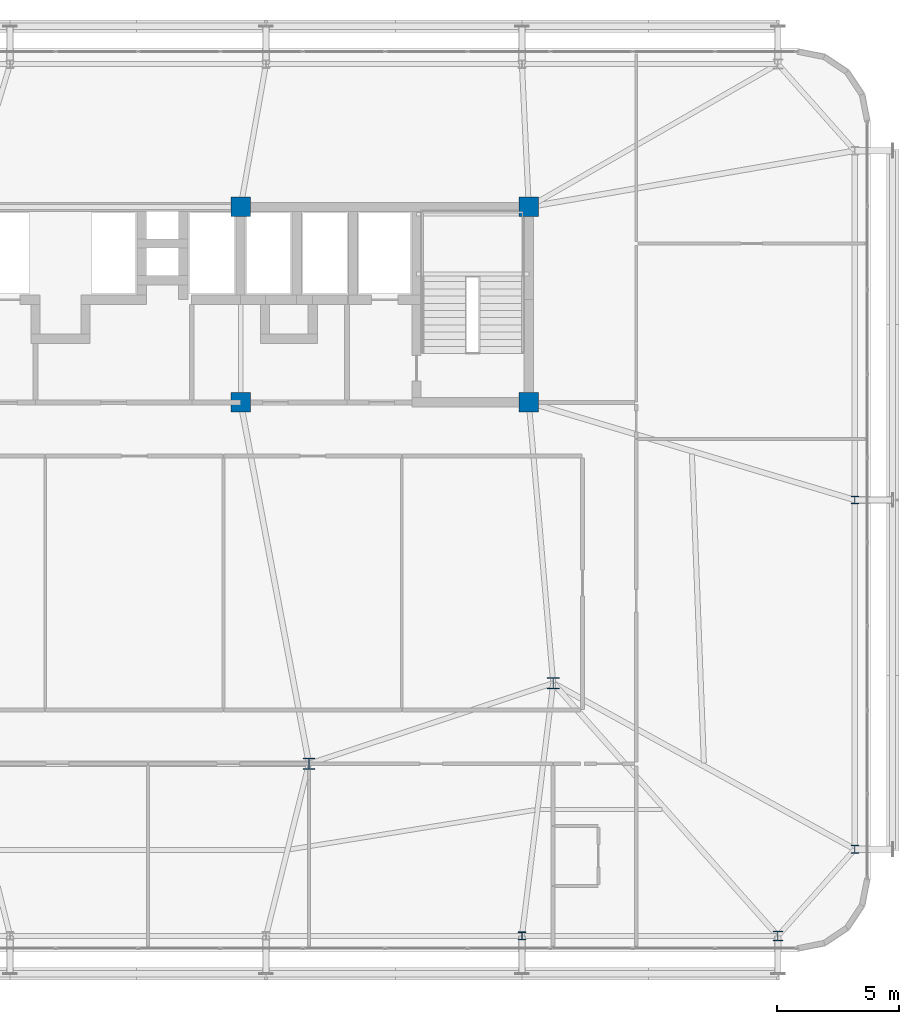
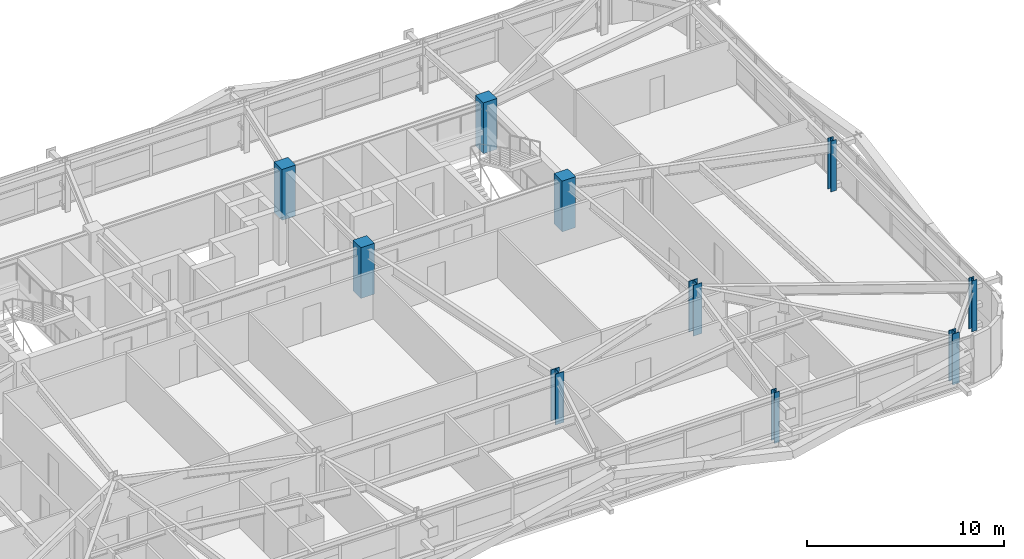
# One storey, part 2 of 58: 10 columns.
"""IFC4 building model written with IfcOpenShell, lengths in metres."""

from ifc_helpers import new_model, si_unit, direction, frame, origin, origin_2d, place, context, subcontext, project, spatial, rectangle, i_section, extrude, source, transform, mapped, material, material_profile, profile_set, type_object, element, save


model = new_model("IFC4")

# Units and contexts
model_context = context("Model", 3, precision=1e-05, world=origin(), true_north=direction((0.0, 1.0)))
body_context = subcontext(model_context, "Body", "Model", "MODEL_VIEW")
ifc_project = project(units=[si_unit("LENGTHUNIT", "METRE"), si_unit("AREAUNIT", "SQUARE_METRE"), si_unit("VOLUMEUNIT", "CUBIC_METRE"), si_unit("PLANEANGLEUNIT", "RADIAN"), si_unit("MASSUNIT", "GRAM", prefix="KILO")], contexts=[model_context])

# Site, building, storey
site_placement = place(None, origin())
site = spatial("IfcSite", under=ifc_project, at=site_placement, CompositionType="ELEMENT")
building_placement = place(site_placement, origin())
building = spatial("IfcBuilding", under=site, at=building_placement, Name="Taldren Reach Tower", CompositionType="ELEMENT")
storey_placement = place(building_placement, frame((0.0, 0.0, 35.699951171875)))
storey = spatial("IfcBuildingStorey", under=building, at=storey_placement, Name="L10", CompositionType="ELEMENT", Elevation=35.699951171875)

# Columns
ifc_material_1 = material(Name="Concrete S65 (65 MPa)", Category="concrete")
ifc_material_profile_1 = material_profile(ifc_material_1, rectangle(XDim=0.800048828125, YDim=0.800048828125, at=origin_2d()), Name="RC-800x800")
ifc_profile_set_1 = profile_set([ifc_material_profile_1], Name="Concrete S65 (65 MPa)")
column_type_1 = type_object("IfcColumnType", Name="COL-RC800", PredefinedType="COLUMN", material=ifc_profile_set_1)
shared_shape_1 = source(origin(), body_context, "Body", "SweptSolid", [
    extrude(rectangle(XDim=0.800048828125, YDim=0.800048828125, at=origin_2d()), origin(), (0.0, 0.0, 1.0), 3.150146484375),
])
for number, where, z_axis, x_axis, name in (
    (1, (39.199951171875, 24.0, 0.0), (0.0, 0.0, 1.0), (1.0, 0.0, 0.0), "Mega column MC-C3 L10"),
    (2, (51.0, 24.0, 0.0), (0.0, 0.0, 1.0), (1.0, 0.0, 0.0), "Mega column MC-C4 L10"),
    (3, (39.199951171875, 32.0, 0.0), (0.0, 0.0, 1.0), (1.0, 0.0, 0.0), "Mega column MC-C7 L10"),
    (4, (51.0, 32.0, 0.0), (0.0, 0.0, 1.0), (1.0, 0.0, 0.0), "Mega column MC-C8 L10"),
):
    element("IfcColumn", number, at=place(storey_placement, frame(where, z_axis=z_axis, x_axis=x_axis)), inside=storey, type_object=column_type_1, Name=name, PredefinedType="COLUMN", context=body_context, shape_type="MappedRepresentation", body=[
        mapped(shared_shape_1, transform((0.0, 0.0, 0.0), scale=1.0)),
    ])
ifc_material_2 = material(Name="Steel Gr 350 (350PLUS)", Category="steel")
ifc_material_profile_2 = material_profile(ifc_material_2, i_section(OverallWidth=0.5, OverallDepth=0.47998046875, WebThickness=0.028076171875, FlangeThickness=0.0439453125, at=origin_2d()), Name="500WC440")
ifc_profile_set_2 = profile_set([ifc_material_profile_2], Name="Steel Gr 350 (350PLUS)")
column_type_2 = type_object("IfcColumnType", Name="COL-WC500A", PredefinedType="COLUMN", material=ifc_profile_set_2)
shared_shape_2 = source(origin(), body_context, "Body", "SweptSolid", [
    extrude(i_section(OverallWidth=0.5, OverallDepth=0.47998046875, WebThickness=0.028076171875, FlangeThickness=0.0439453125, at=origin_2d()), origin(), (0.0, 0.0, 1.0), 3.150146484375),
])
column_1_placement = place(storey_placement, frame((42.0, 9.199951171875, 0.0), z_axis=(0.0, 0.0, 1.0), x_axis=(1.0, 0.0, 0.0)))
element("IfcColumn", 5, at=column_1_placement, inside=storey, type_object=column_type_2, Name="Mega column MC-PJE L10", PredefinedType="COLUMN", context=body_context, shape_type="MappedRepresentation", body=[
    mapped(shared_shape_2, transform((0.0, 0.0, 0.0), scale=1.0)),
])
ifc_material_profile_3 = material_profile(ifc_material_2, i_section(OverallWidth=0.39990234375, OverallDepth=0.39599609375, WebThickness=0.02197265625, FlangeThickness=0.033935546875, at=origin_2d()), Name="400WC270")
ifc_profile_set_3 = profile_set([ifc_material_profile_3], Name="Steel Gr 350 (350PLUS)")
column_type_3 = type_object("IfcColumnType", Name="COL-WC400", PredefinedType="COLUMN", material=ifc_profile_set_3)
shared_shape_3 = source(origin(), body_context, "Body", "SweptSolid", [
    extrude(i_section(OverallWidth=0.39990234375, OverallDepth=0.39599609375, WebThickness=0.02197265625, FlangeThickness=0.033935546875, at=origin_2d()), origin(), (0.0, 0.0, 1.0), 3.150146484375),
])
column_2_placement = place(storey_placement, frame((61.199951171875, 2.14990234375, 0.0), z_axis=(0.0, 0.0, 1.0), x_axis=(1.0, 0.0, 0.0)))
element("IfcColumn", 6, at=column_2_placement, inside=storey, type_object=column_type_3, Name="Block B1 perimeter column S6 L10", PredefinedType="COLUMN", context=body_context, shape_type="MappedRepresentation", body=[
    mapped(shared_shape_3, transform((0.0, 0.0, 0.0), scale=1.0)),
])
ifc_material_profile_4 = material_profile(ifc_material_2, i_section(OverallWidth=0.31103515625, OverallDepth=0.326904296875, WebThickness=0.015625, FlangeThickness=0.02490234375, at=origin_2d()), Name="310UC158")
ifc_profile_set_4 = profile_set([ifc_material_profile_4], Name="Steel Gr 350 (350PLUS)")
column_type_4 = type_object("IfcColumnType", Name="COL-UC310A", PredefinedType="COLUMN", material=ifc_profile_set_4)
shared_shape_4 = source(origin(), body_context, "Body", "SweptSolid", [
    extrude(i_section(OverallWidth=0.31103515625, OverallDepth=0.326904296875, WebThickness=0.015625, FlangeThickness=0.02490234375, at=origin_2d()), origin(), (0.0, 0.0, 1.0), 3.150146484375),
])
for number, where, z_axis, x_axis, name in (
    (7, (50.719970703125, 2.14990234375, 0.0), (0.0, 0.0, 1.0), (1.0, 0.0, 0.0), "Block B1 perimeter column S5 L10"),
    (8, (64.35009765625, 5.699951171875, 0.0), (0.0, 0.0, 1.0), (1.0, 0.0, 0.0), "Block B1 perimeter column E1 L10"),
    (9, (64.35009765625, 20.0, 0.0), (0.0, 0.0, 1.0), (1.0, 0.0, 0.0), "Block B1 perimeter column E2 L10"),
):
    element("IfcColumn", number, at=place(storey_placement, frame(where, z_axis=z_axis, x_axis=x_axis)), inside=storey, type_object=column_type_4, Name=name, PredefinedType="COLUMN", context=body_context, shape_type="MappedRepresentation", body=[
        mapped(shared_shape_4, transform((0.0, 0.0, 0.0), scale=1.0)),
    ])
ifc_material_profile_5 = material_profile(ifc_material_2, i_section(OverallWidth=0.5, OverallDepth=0.464111328125, WebThickness=0.02197265625, FlangeThickness=0.033935546875, at=origin_2d()), Name="500WC340")
ifc_profile_set_5 = profile_set([ifc_material_profile_5], Name="Steel Gr 350 (350PLUS)")
column_type_5 = type_object("IfcColumnType", Name="COL-WC500B", PredefinedType="COLUMN", material=ifc_profile_set_5)
shared_shape_5 = source(origin(), body_context, "Body", "SweptSolid", [
    extrude(i_section(OverallWidth=0.5, OverallDepth=0.464111328125, WebThickness=0.02197265625, FlangeThickness=0.033935546875, at=origin_2d()), origin(), (0.0, 0.0, 1.0), 3.150146484375),
])
column_3_placement = place(storey_placement, frame((52.0, 12.5, 0.0), z_axis=(0.0, 0.0, 1.0), x_axis=(1.0, 0.0, 0.0)))
element("IfcColumn", 10, at=column_3_placement, inside=storey, type_object=column_type_5, Name="Mega column MC-SE L10", PredefinedType="COLUMN", context=body_context, shape_type="MappedRepresentation", body=[
    mapped(shared_shape_5, transform((0.0, 0.0, 0.0), scale=1.0)),
])

save(model, "model.ifc")
